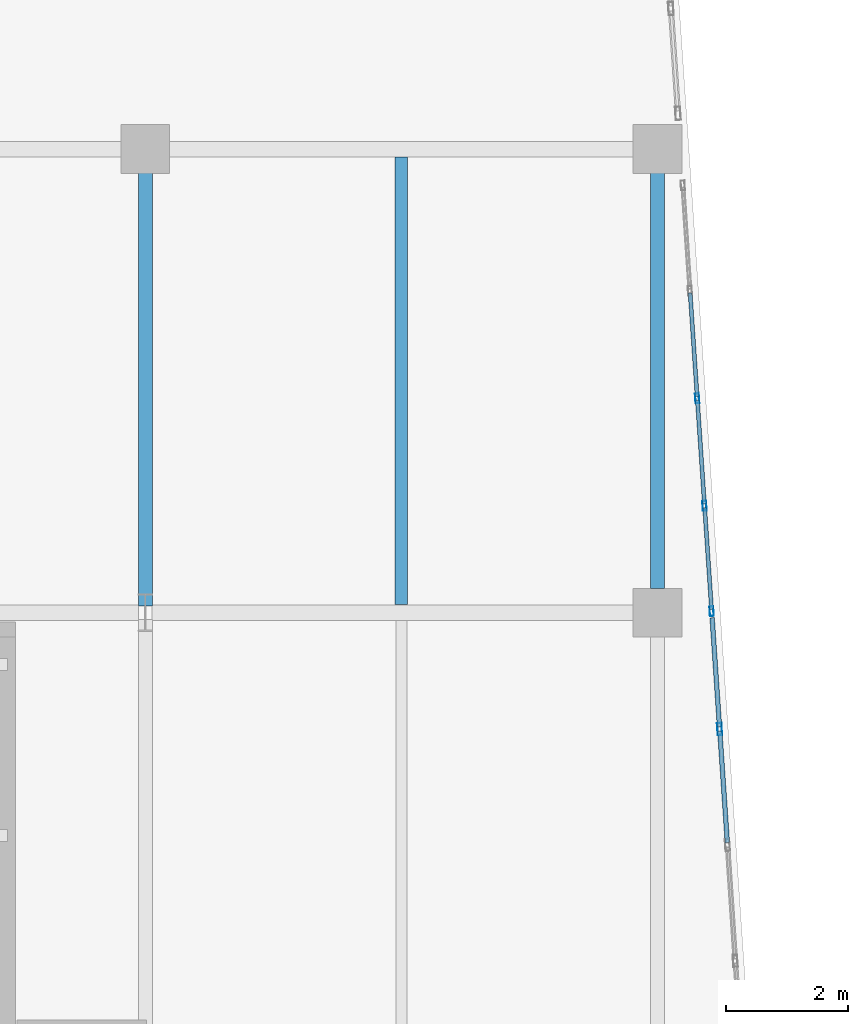
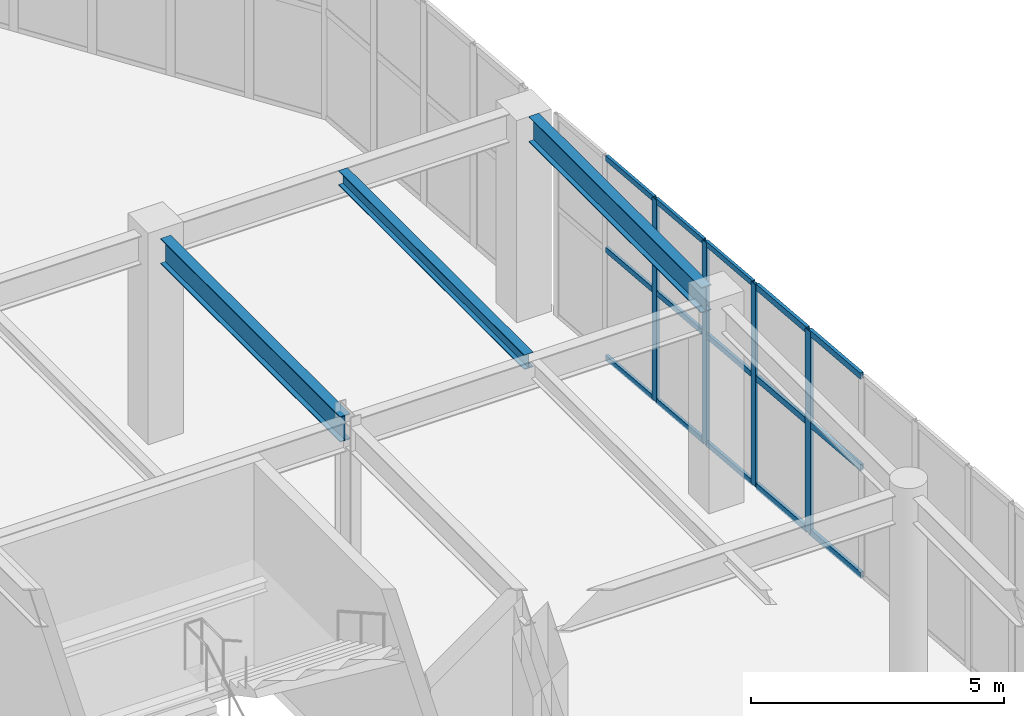
# One storey, part 52 of 128: 19 members, 3 beams, 2 elements without a shape of their own.
"""IFC4 building model written with IfcOpenShell, lengths in metres."""

from ifc_helpers import new_model, si_unit, direction, frame, origin, origin_2d, place, context, subcontext, project, spatial, hollow_rectangle, i_section, extrude, material, layer, layer_set, material_profile, profile_set, type_object, element, aggregate, save


model = new_model("IFC4")

# Units and contexts
model_context = context("Model", 3, precision=1e-05, world=origin(), true_north=direction((0.0, 1.0)))
body_context = subcontext(model_context, "Body", "Model", "MODEL_VIEW")
ifc_project = project(units=[si_unit("LENGTHUNIT", "METRE"), si_unit("AREAUNIT", "SQUARE_METRE"), si_unit("VOLUMEUNIT", "CUBIC_METRE"), si_unit("PLANEANGLEUNIT", "RADIAN"), si_unit("MASSUNIT", "GRAM", prefix="KILO")], contexts=[model_context])

# Site, building, storey
site_placement = place(None, origin())
site = spatial("IfcSite", under=ifc_project, at=site_placement, CompositionType="ELEMENT")
building_placement = place(site_placement, origin())
building = spatial("IfcBuilding", under=site, at=building_placement, Name="Xicomal Pleat Aquarium", CompositionType="ELEMENT")
storey_placement = place(building_placement, frame((0.0, 0.0, 5.39990234375)))
storey = spatial("IfcBuildingStorey", under=building, at=storey_placement, Name="L02", CompositionType="ELEMENT", Elevation=5.39990234375)

# Beams
ifc_material_1 = material(Name="Structural steel A992 Gr 50", Category="steel")
ifc_material_profile_1 = material_profile(ifc_material_1, i_section(OverallWidth=0.205078125, OverallDepth=0.35400390625, WebThickness=0.009521484375, FlangeThickness=0.016845703125, at=origin_2d()), Name="IR 360x79")
ifc_profile_set_1 = profile_set([ifc_material_profile_1], Name="Structural steel A992 Gr 50")
beam_type_1 = type_object("IfcBeamType", Name="BM-STL-IR360", PredefinedType="JOIST", material=ifc_profile_set_1)
beam_1_placement = place(storey_placement, frame((22.800048828125, 76.131103515625, 4.697998046875), z_axis=(0.0, 1.0, 0.0), x_axis=(-1.0, 0.0, 0.0)))
element("IfcBeam", 1, at=beam_1_placement, inside=storey, type_object=beam_type_1, Name="L02 framing beam FBJ-L02-03-L-1", PredefinedType="JOIST", context=body_context, shape_type="SweptSolid", body=[
    extrude(i_section(OverallWidth=0.205078125, OverallDepth=0.35400390625, WebThickness=0.009521484375, FlangeThickness=0.016845703125, at=origin_2d()), origin(), (0.0, 0.0, 1.0), 7.337890625),
])
ifc_material_2 = material(Name="Structural steel A992 Gr 50", Category="steel")
ifc_material_profile_2 = material_profile(ifc_material_2, i_section(OverallWidth=0.22998046875, OverallDepth=0.616943359375, WebThickness=0.01318359375, FlangeThickness=0.022216796875, at=origin_2d()), Name="IR 610x140")
ifc_profile_set_2 = profile_set([ifc_material_profile_2], Name="Structural steel A992 Gr 50")
beam_type_2 = type_object("IfcBeamType", Name="BM-STL-IR610", PredefinedType="BEAM", material=ifc_profile_set_2)
beam_2_placement = place(storey_placement, frame((18.60009765625, 76.110107421875, 4.566650390625), z_axis=(0.0, 1.0, 0.0), x_axis=(-1.0, 0.0, 0.0)))
element("IfcBeam", 2, at=beam_2_placement, inside=storey, type_object=beam_type_2, Name="L02 framing beam FGY-L02-03-L-M", PredefinedType="BEAM", context=body_context, shape_type="SweptSolid", body=[
    extrude(i_section(OverallWidth=0.22998046875, OverallDepth=0.616943359375, WebThickness=0.01318359375, FlangeThickness=0.022216796875, at=origin_2d()), origin(), (0.0, 0.0, 1.0), 7.094970703125),
])
beam_3_placement = place(storey_placement, frame((27.0, 76.39501953125, 4.566650390625), z_axis=(0.0, 1.0, 0.0), x_axis=(-1.0, 0.0, 0.0)))
element("IfcBeam", 3, at=beam_3_placement, inside=storey, type_object=beam_type_2, Name="L02 framing beam FGY-L02-04-L-M", PredefinedType="BEAM", context=body_context, shape_type="SweptSolid", body=[
    extrude(i_section(OverallWidth=0.22998046875, OverallDepth=0.616943359375, WebThickness=0.01318359375, FlangeThickness=0.022216796875, at=origin_2d()), origin(), (0.0, 0.0, 1.0), 6.81005859375),
])

# Curtain wall, members
ifc_material_3 = material(Name="Bronze anodized aluminium 6063-T6", Category="aluminium")
ifc_layer_1 = layer(ifc_material_3, 0.159912109375)
ifc_layer_set_1 = layer_set([ifc_layer_1], Name="Bronze anodized aluminium 6063-T6")
curtain_wall_type_1 = type_object("IfcCurtainWallType", Name="CW-SYS-02", PredefinedType="NOTDEFINED", material=ifc_layer_set_1)
curtain_wall_1_placement = place(storey_placement, origin())
curtain_wall_1 = element("IfcCurtainWall", 4, at=curtain_wall_1_placement, inside=storey, type_object=curtain_wall_type_1, Name="L02 unitised curtain wall CW-L02-132", PredefinedType="NOTDEFINED")
ifc_material_4 = material(Name="Bronze anodized aluminium 6063-T6", Category="aluminium")
ifc_material_profile_3 = material_profile(ifc_material_4, hollow_rectangle(XDim=0.06494140625, YDim=0.159912109375, WallThickness=0.00390625, at=origin_2d()), Name="ALU MULL 65x160")
ifc_profile_set_3 = profile_set([ifc_material_profile_3], Name="Bronze anodized aluminium 6063-T6")
member_type_1 = type_object("IfcMemberType", Name="CWM-65x160", PredefinedType="MULLION", material=ifc_profile_set_3)
member_1_placement = place(storey_placement, frame((27.650390625, 79.513916015625, 0.0), z_axis=(0.0, 0.0, 1.0), x_axis=(0.997716337991, 0.067543385353, 0.0)))
member_1 = element("IfcMember", 5, at=member_1_placement, type_object=member_type_1, Name="CW-02 mullion 3", PredefinedType="MULLION", context=body_context, shape_type="SweptSolid", body=[
    extrude(hollow_rectangle(XDim=0.06494140625, YDim=0.159912109375, WallThickness=0.00390625, at=origin_2d()), origin(), (0.0, 0.0, 1.0), 4.875),
])
member_2_placement = place(storey_placement, frame((27.769775390625, 77.75244140625, 0.0), z_axis=(0.0, 0.0, 1.0), x_axis=(0.997716337991, 0.067543385353, 0.0)))
member_2 = element("IfcMember", 6, at=member_2_placement, type_object=member_type_1, Name="CW-02 mullion 4", PredefinedType="MULLION", context=body_context, shape_type="SweptSolid", body=[
    extrude(hollow_rectangle(XDim=0.06494140625, YDim=0.159912109375, WallThickness=0.00390625, at=origin_2d()), origin(), (0.0, 0.0, 1.0), 4.875),
])
member_3_placement = place(storey_placement, frame((27.88671875, 76.0234375, 0.0), z_axis=(0.0, 0.0, 1.0), x_axis=(0.997716337991, 0.067543385353, 0.0)))
member_3 = element("IfcMember", 7, at=member_3_placement, type_object=member_type_1, Name="CW-02 mullion 5", PredefinedType="MULLION", context=body_context, shape_type="SweptSolid", body=[
    extrude(hollow_rectangle(XDim=0.06494140625, YDim=0.159912109375, WallThickness=0.00390625, at=origin_2d()), origin(), (0.0, 0.0, 1.0), 4.875),
])

# Curtain wall, member
ifc_material_5 = material(Name="Bronze anodized aluminium 6063-T6", Category="aluminium")
ifc_layer_2 = layer(ifc_material_5, 0.159912109375)
ifc_layer_set_2 = layer_set([ifc_layer_2], Name="Bronze anodized aluminium 6063-T6")
curtain_wall_type_2 = type_object("IfcCurtainWallType", Name="CW-SYS-07", PredefinedType="NOTDEFINED", material=ifc_layer_set_2)
curtain_wall_2_placement = place(storey_placement, origin())
curtain_wall_2 = element("IfcCurtainWall", 8, at=curtain_wall_2_placement, inside=storey, type_object=curtain_wall_type_2, Name="L02 unitised curtain wall CW-L02-133", PredefinedType="NOTDEFINED")
ifc_material_6 = material(Name="Bronze anodized aluminium 6063-T6", Category="aluminium")
ifc_material_profile_4 = material_profile(ifc_material_6, hollow_rectangle(XDim=0.074951171875, YDim=0.199951171875, WallThickness=0.00439453125, at=origin_2d()), Name="ALU MULL 75x200")
ifc_profile_set_4 = profile_set([ifc_material_profile_4], Name="Bronze anodized aluminium 6063-T6")
member_type_2 = type_object("IfcMemberType", Name="CWM-75x200", PredefinedType="MULLION", material=ifc_profile_set_4)
member_4_placement = place(storey_placement, frame((28.017578125, 74.091064453125, 0.0), z_axis=(0.0, 0.0, 1.0), x_axis=(0.997720800637, 0.067477433092, 0.0)))
member_4 = element("IfcMember", 9, at=member_4_placement, type_object=member_type_2, Name="CW-07 mullion 2", PredefinedType="MULLION", context=body_context, shape_type="SweptSolid", body=[
    extrude(hollow_rectangle(XDim=0.074951171875, YDim=0.199951171875, WallThickness=0.00439453125, at=origin_2d()), origin(), (0.0, 0.0, 1.0), 4.875),
])

# Member
ifc_material_7 = material(Name="Bronze anodized aluminium 6063-T6", Category="aluminium")
ifc_material_profile_5 = material_profile(ifc_material_7, hollow_rectangle(XDim=0.06494140625, YDim=0.1298828125, WallThickness=0.00390625, at=origin_2d()), Name="ALU TRAN 65x130")
ifc_profile_set_5 = profile_set([ifc_material_profile_5], Name="Bronze anodized aluminium 6063-T6")
member_type_3 = type_object("IfcMemberType", Name="CWT-65x130", PredefinedType="USERDEFINED", material=ifc_profile_set_5)
member_5_placement = place(storey_placement, frame((27.533447265625, 81.2431640625, 0.03271484375), z_axis=(0.067471792172, -0.997721182125, 0.0), x_axis=(0.997721182125, 0.067471792172, 0.0)))
member_5 = element("IfcMember", 10, at=member_5_placement, type_object=member_type_3, Name="CW-02 transom 2.1", ObjectType="TRANSOM", PredefinedType="USERDEFINED", context=body_context, shape_type="SweptSolid", body=[
    extrude(hollow_rectangle(XDim=0.06494140625, YDim=0.1298828125, WallThickness=0.00390625, at=origin_2d()), origin(), (0.0, 0.0, 1.0), 1.70068359375),
])

member_6_placement = place(storey_placement, frame((27.533447265625, 81.2431640625, 2.633056640625), z_axis=(0.067471792172, -0.997721182125, 0.0), x_axis=(0.997721182125, 0.067471792172, 0.0)))
member_6 = element("IfcMember", 11, at=member_6_placement, type_object=member_type_3, Name="CW-02 transom 2.2", ObjectType="TRANSOM", PredefinedType="USERDEFINED", context=body_context, shape_type="SweptSolid", body=[
    extrude(hollow_rectangle(XDim=0.06494140625, YDim=0.1298828125, WallThickness=0.00390625, at=origin_2d()), origin(), (0.0, 0.0, 1.0), 1.70068359375),
])

member_7_placement = place(storey_placement, frame((27.533447265625, 81.2431640625, 4.842529296875), z_axis=(0.067471792172, -0.997721182125, 0.0), x_axis=(0.997721182125, 0.067471792172, 0.0)))
member_7 = element("IfcMember", 12, at=member_7_placement, type_object=member_type_3, Name="CW-02 transom 2.3", ObjectType="TRANSOM", PredefinedType="USERDEFINED", context=body_context, shape_type="SweptSolid", body=[
    extrude(hollow_rectangle(XDim=0.06494140625, YDim=0.1298828125, WallThickness=0.00390625, at=origin_2d()), origin(), (0.0, 0.0, 1.0), 1.70068359375),
])

member_8_placement = place(storey_placement, frame((27.652587890625, 79.481689453125, 0.03271484375), z_axis=(0.067614693564, -0.997711508009, 0.0), x_axis=(0.997711508009, 0.067614693564, 0.0)))
member_8 = element("IfcMember", 13, at=member_8_placement, type_object=member_type_3, Name="CW-02 transom 3.1", ObjectType="TRANSOM", PredefinedType="USERDEFINED", context=body_context, shape_type="SweptSolid", body=[
    extrude(hollow_rectangle(XDim=0.06494140625, YDim=0.1298828125, WallThickness=0.00390625, at=origin_2d()), origin(), (0.0, 0.0, 1.0), 1.70068359375),
])

member_9_placement = place(storey_placement, frame((27.652587890625, 79.481689453125, 2.633056640625), z_axis=(0.067614693564, -0.997711508009, 0.0), x_axis=(0.997711508009, 0.067614693564, 0.0)))
member_9 = element("IfcMember", 14, at=member_9_placement, type_object=member_type_3, Name="CW-02 transom 3.2", ObjectType="TRANSOM", PredefinedType="USERDEFINED", context=body_context, shape_type="SweptSolid", body=[
    extrude(hollow_rectangle(XDim=0.06494140625, YDim=0.1298828125, WallThickness=0.00390625, at=origin_2d()), origin(), (0.0, 0.0, 1.0), 1.70068359375),
])

member_10_placement = place(storey_placement, frame((27.652587890625, 79.481689453125, 4.842529296875), z_axis=(0.067614693564, -0.997711508009, 0.0), x_axis=(0.997711508009, 0.067614693564, 0.0)))
member_10 = element("IfcMember", 15, at=member_10_placement, type_object=member_type_3, Name="CW-02 transom 3.3", ObjectType="TRANSOM", PredefinedType="USERDEFINED", context=body_context, shape_type="SweptSolid", body=[
    extrude(hollow_rectangle(XDim=0.06494140625, YDim=0.1298828125, WallThickness=0.00390625, at=origin_2d()), origin(), (0.0, 0.0, 1.0), 1.70068359375),
])

member_11_placement = place(storey_placement, frame((27.77197265625, 77.72021484375, 0.03271484375), z_axis=(0.06747095366, -0.99772123883, 0.0), x_axis=(0.99772123883, 0.06747095366, 0.0)))
member_11 = element("IfcMember", 16, at=member_11_placement, type_object=member_type_3, Name="CW-02 transom 4.1", ObjectType="TRANSOM", PredefinedType="USERDEFINED", context=body_context, shape_type="SweptSolid", body=[
    extrude(hollow_rectangle(XDim=0.06494140625, YDim=0.1298828125, WallThickness=0.00390625, at=origin_2d()), origin(), (0.0, 0.0, 1.0), 1.668212890625),
])

member_12_placement = place(storey_placement, frame((27.77197265625, 77.72021484375, 2.633056640625), z_axis=(0.06747095366, -0.99772123883, 0.0), x_axis=(0.99772123883, 0.06747095366, 0.0)))
member_12 = element("IfcMember", 17, at=member_12_placement, type_object=member_type_3, Name="CW-02 transom 4.2", ObjectType="TRANSOM", PredefinedType="USERDEFINED", context=body_context, shape_type="SweptSolid", body=[
    extrude(hollow_rectangle(XDim=0.06494140625, YDim=0.1298828125, WallThickness=0.00390625, at=origin_2d()), origin(), (0.0, 0.0, 1.0), 1.668212890625),
])

member_13_placement = place(storey_placement, frame((27.77197265625, 77.72021484375, 4.842529296875), z_axis=(0.06747095366, -0.99772123883, 0.0), x_axis=(0.99772123883, 0.06747095366, 0.0)))
member_13 = element("IfcMember", 18, at=member_13_placement, type_object=member_type_3, Name="CW-02 transom 4.3", ObjectType="TRANSOM", PredefinedType="USERDEFINED", context=body_context, shape_type="SweptSolid", body=[
    extrude(hollow_rectangle(XDim=0.06494140625, YDim=0.1298828125, WallThickness=0.00390625, at=origin_2d()), origin(), (0.0, 0.0, 1.0), 1.668212890625),
])

aggregate(curtain_wall_1, [member_1, member_2, member_3, member_5, member_6, member_7, member_8, member_9, member_10, member_11, member_12, member_13])

ifc_material_8 = material(Name="Bronze anodized aluminium 6063-T6", Category="aluminium")
ifc_material_profile_6 = material_profile(ifc_material_8, hollow_rectangle(XDim=0.074951171875, YDim=0.14990234375, WallThickness=0.00439453125, at=origin_2d()), Name="ALU TRAN 75x150")
ifc_profile_set_6 = profile_set([ifc_material_profile_6], Name="Bronze anodized aluminium 6063-T6")
member_type_4 = type_object("IfcMemberType", Name="CWT-75x150", PredefinedType="USERDEFINED", material=ifc_profile_set_6)
member_14_placement = place(storey_placement, frame((27.89404296875, 75.916259765625, 0.03759765625), z_axis=(0.067441349717, -0.997723240357, 0.0), x_axis=(0.997723240357, 0.067441349717, 0.0)))
member_14 = element("IfcMember", 19, at=member_14_placement, type_object=member_type_4, Name="CW-07 transom 1.1", ObjectType="TRANSOM", PredefinedType="USERDEFINED", context=body_context, shape_type="SweptSolid", body=[
    extrude(hollow_rectangle(XDim=0.074951171875, YDim=0.14990234375, WallThickness=0.00439453125, at=origin_2d()), origin(), (0.0, 0.0, 1.0), 1.7919921875),
])

member_15_placement = place(storey_placement, frame((27.89404296875, 75.916259765625, 2.633056640625), z_axis=(0.067441349717, -0.997723240357, 0.0), x_axis=(0.997723240357, 0.067441349717, 0.0)))
member_15 = element("IfcMember", 20, at=member_15_placement, type_object=member_type_4, Name="CW-07 transom 1.2", ObjectType="TRANSOM", PredefinedType="USERDEFINED", context=body_context, shape_type="SweptSolid", body=[
    extrude(hollow_rectangle(XDim=0.074951171875, YDim=0.14990234375, WallThickness=0.00439453125, at=origin_2d()), origin(), (0.0, 0.0, 1.0), 1.7919921875),
])

member_16_placement = place(storey_placement, frame((27.89404296875, 75.916259765625, 4.837646484375), z_axis=(0.067441349717, -0.997723240357, 0.0), x_axis=(0.997723240357, 0.067441349717, 0.0)))
member_16 = element("IfcMember", 21, at=member_16_placement, type_object=member_type_4, Name="CW-07 transom 1.3", ObjectType="TRANSOM", PredefinedType="USERDEFINED", context=body_context, shape_type="SweptSolid", body=[
    extrude(hollow_rectangle(XDim=0.074951171875, YDim=0.14990234375, WallThickness=0.00439453125, at=origin_2d()), origin(), (0.0, 0.0, 1.0), 1.7919921875),
])

member_17_placement = place(storey_placement, frame((28.02001953125, 74.0537109375, 0.03759765625), z_axis=(0.067528754435, -0.997717328367, 0.0), x_axis=(0.997717328367, 0.067528754435, 0.0)))
member_17 = element("IfcMember", 22, at=member_17_placement, type_object=member_type_4, Name="CW-07 transom 2.1", ObjectType="TRANSOM", PredefinedType="USERDEFINED", context=body_context, shape_type="SweptSolid", body=[
    extrude(hollow_rectangle(XDim=0.074951171875, YDim=0.14990234375, WallThickness=0.00439453125, at=origin_2d()), origin(), (0.0, 0.0, 1.0), 1.829345703125),
])

member_18_placement = place(storey_placement, frame((28.02001953125, 74.0537109375, 2.633056640625), z_axis=(0.067528754435, -0.997717328367, 0.0), x_axis=(0.997717328367, 0.067528754435, 0.0)))
member_18 = element("IfcMember", 23, at=member_18_placement, type_object=member_type_4, Name="CW-07 transom 2.2", ObjectType="TRANSOM", PredefinedType="USERDEFINED", context=body_context, shape_type="SweptSolid", body=[
    extrude(hollow_rectangle(XDim=0.074951171875, YDim=0.14990234375, WallThickness=0.00439453125, at=origin_2d()), origin(), (0.0, 0.0, 1.0), 1.829345703125),
])

member_19_placement = place(storey_placement, frame((28.02001953125, 74.0537109375, 4.837646484375), z_axis=(0.067528754435, -0.997717328367, 0.0), x_axis=(0.997717328367, 0.067528754435, 0.0)))
member_19 = element("IfcMember", 24, at=member_19_placement, type_object=member_type_4, Name="CW-07 transom 2.3", ObjectType="TRANSOM", PredefinedType="USERDEFINED", context=body_context, shape_type="SweptSolid", body=[
    extrude(hollow_rectangle(XDim=0.074951171875, YDim=0.14990234375, WallThickness=0.00439453125, at=origin_2d()), origin(), (0.0, 0.0, 1.0), 1.829345703125),
])

aggregate(curtain_wall_2, [member_4, member_14, member_15, member_16, member_17, member_18, member_19])

save(model, "model.ifc")
